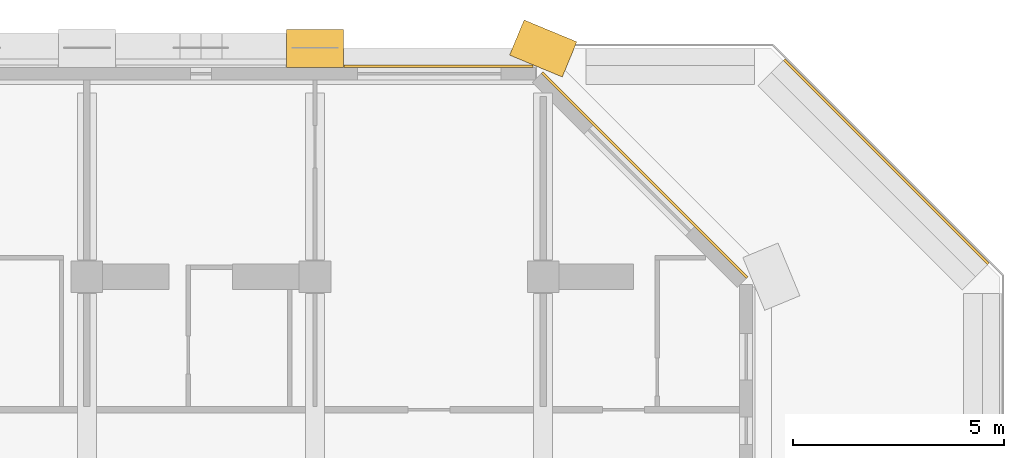
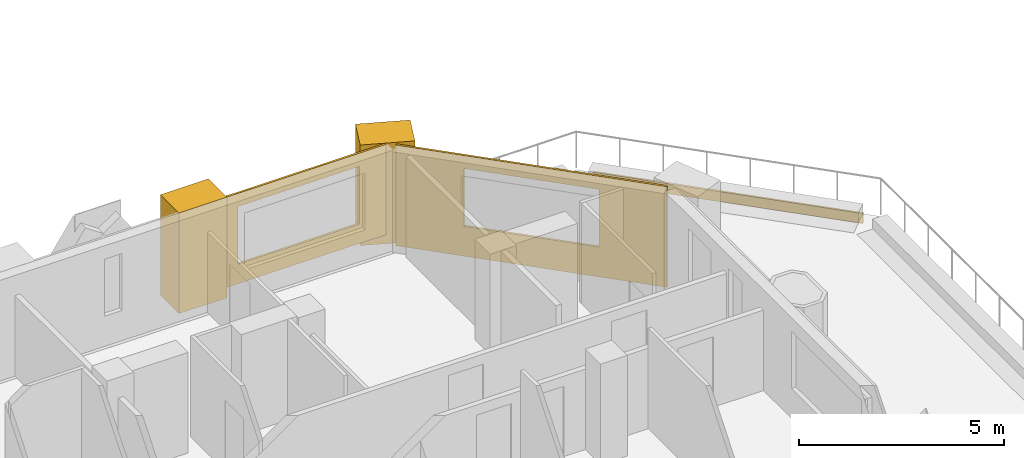
# One storey, part 15 of 15: 5 coverings.
"""IFC4 building model written with IfcOpenShell, lengths in metres."""

from ifc_helpers import new_model, si_unit, direction, frame, frame_2d, origin, place, context, subcontext, project, spatial, polyline, rectangle, outline, extrude, material, layer, layer_set, type_object, element, save


model = new_model("IFC4")

# Units and contexts
model_context = context("Model", 3, precision=1e-05, world=origin(), true_north=direction((0.0, 1.0)))
body_context = subcontext(model_context, "Body", "Model", "MODEL_VIEW")
ifc_project = project(units=[si_unit("LENGTHUNIT", "METRE"), si_unit("AREAUNIT", "SQUARE_METRE"), si_unit("VOLUMEUNIT", "CUBIC_METRE"), si_unit("PLANEANGLEUNIT", "RADIAN"), si_unit("MASSUNIT", "GRAM", prefix="KILO")], contexts=[model_context])

# Site, building, storey
site_placement = place(None, origin())
site = spatial("IfcSite", under=ifc_project, at=site_placement, CompositionType="ELEMENT")
building_placement = place(site_placement, origin())
building = spatial("IfcBuilding", under=site, at=building_placement, Name="Tabaq Tower and Sports Hall", CompositionType="ELEMENT")
storey_placement = place(building_placement, frame((0.0, 0.0, 207.10009765625)))
storey = spatial("IfcBuildingStorey", under=building, at=storey_placement, Name="L51", CompositionType="ELEMENT", Elevation=207.10009765625)

# Coverings
ifc_material_1 = material(Name="Precast concrete C60/75", Category="concrete")
ifc_layer_1 = layer(ifc_material_1, 0.06005859375)
ifc_layer_set_1 = layer_set([ifc_layer_1], Name="Edge beam cladding 60")
covering_type_1 = type_object("IfcCoveringType", Name="Edge beam cladding 60", PredefinedType="CLADDING", material=ifc_layer_set_1)
covering_1_placement = place(storey_placement, frame((48.3369140625, 43.505615234375, -0.300048828125), z_axis=(0.0, 0.0, 1.0), x_axis=(-0.707106781187, 0.707106781187, 0.0)))
element("IfcCovering", 1, at=covering_1_placement, inside=storey, type_object=covering_type_1, Name="Edge beam cladding L51 7", PredefinedType="CLADDING", context=body_context, shape_type="SweptSolid", body=[
    extrude(rectangle(XDim=6.83251953125, YDim=0.06005859375, at=frame_2d((3.416259765625, 0.0))), origin(), (0.0, 0.0, 1.0), 0.300048828125),
])
ifc_material_2 = material(Name="White precast concrete C60/75", Category="concrete")
covering_type_2 = type_object("IfcCoveringType", Name="Pier cladding hung 1350x900", PredefinedType="CLADDING", material=ifc_material_2)
covering_2_placement = place(storey_placement, frame((33.074951171875, 48.60009765625, 0.0), z_axis=(0.0, 0.0, 1.0), x_axis=(-1.0, 0.0, 0.0)))
element("IfcCovering", 2, at=covering_2_placement, inside=storey, type_object=covering_type_2, Name="Hung pier cladding 6/9", PredefinedType="CLADDING", context=body_context, shape_type="SweptSolid", body=[
    extrude(rectangle(XDim=1.349853515625, YDim=0.89990234375, at=frame_2d((0.6748046875, 0.0))), origin(), (0.0, 0.0, 1.0), 3.0),
])
covering_3_placement = place(storey_placement, frame((38.423583984375, 48.341796875, 0.0), z_axis=(0.0, 0.0, 1.0), x_axis=(-0.923893411637, 0.382649923473, 0.0)))
element("IfcCovering", 3, at=covering_3_placement, inside=storey, type_object=covering_type_2, Name="Hung pier cladding 7/9", PredefinedType="CLADDING", context=body_context, shape_type="SweptSolid", body=[
    extrude(rectangle(XDim=1.35009765625, YDim=0.89990234375, at=frame_2d((0.675048828125, 0.0))), origin(), (0.0, 0.0, 1.0), 3.0),
])
ifc_material_3 = material(Name="Precast concrete C60/75", Category="concrete")
ifc_layer_2 = layer(ifc_material_3, 0.06005859375)
ifc_layer_set_2 = layer_set([ifc_layer_2], Name="White precast cladding panel 60 C60/75")
covering_type_3 = type_object("IfcCoveringType", Name="White precast cladding panel 60 C60/75", PredefinedType="CLADDING", material=ifc_layer_set_2)
covering_4_placement = place(storey_placement, frame((42.628173828125, 43.177734375, 0.0), z_axis=(0.0, 0.0, 1.0), x_axis=(-0.707088985397, 0.707124576528, 0.0)))
element("IfcCovering", 4, at=covering_4_placement, inside=storey, type_object=covering_type_3, Name="White precast cladding panel L51 wall03", PredefinedType="CLADDING", context=body_context, shape_type="SweptSolid", body=[
    extrude(outline(polyline([(0.0, 0.0), (6.859619140625, 0.0), (6.859619140625, 3.0), (0.0, 3.0), (0.0, 0.0)]), holes=[polyline([(1.7197265625, 0.889892578125), (1.7197265625, 2.60986328125), (5.139892578125, 2.60986328125), (5.139892578125, 0.889892578125), (1.7197265625, 0.889892578125)])]), frame((0.0, 0.030029296875, 0.0), z_axis=(0.0, -1.0, 0.0), x_axis=(1.0, 0.0, 0.0)), (0.0, 0.0, 1.0), 0.06005859375),
])
covering_5_placement = place(storey_placement, frame((37.556884765625, 48.179931640625, 0.309814453125), z_axis=(0.0, 0.0, 1.0), x_axis=(-1.0, 0.0, 0.0)))
element("IfcCovering", 5, at=covering_5_placement, inside=storey, type_object=covering_type_3, Name="White precast cladding panel L51 wall04", PredefinedType="CLADDING", context=body_context, shape_type="SweptSolid", body=[
    extrude(outline(polyline([(0.0, 0.0), (4.471923828125, 0.0), (4.471923828125, 2.690185546875), (0.0, 2.690185546875), (0.0, 0.0)]), holes=[polyline([(0.746826171875, 0.580078125), (0.746826171875, 2.300048828125), (4.166748046875, 2.300048828125), (4.166748046875, 0.580078125), (0.746826171875, 0.580078125)])]), frame((0.0, 0.030029296875, 0.0), z_axis=(0.0, -1.0, 0.0), x_axis=(1.0, 0.0, 0.0)), (0.0, 0.0, 1.0), 0.06005859375),
])

save(model, "model.ifc")
